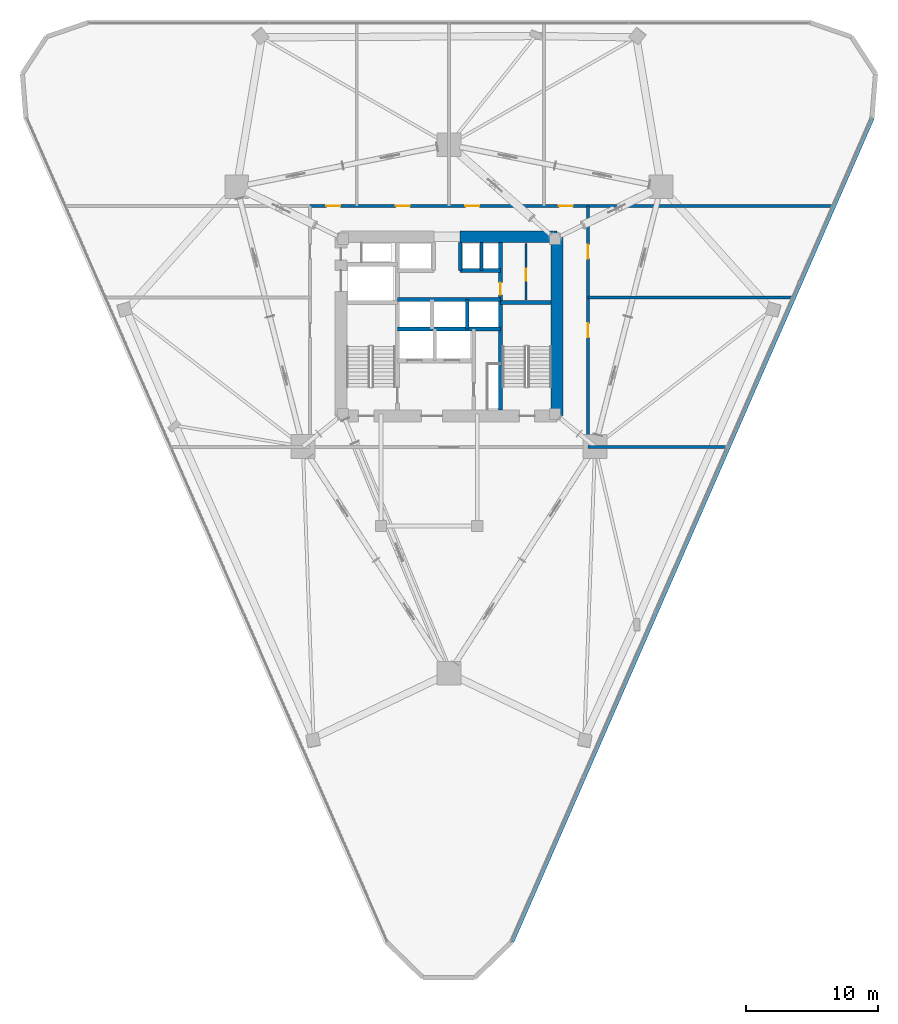
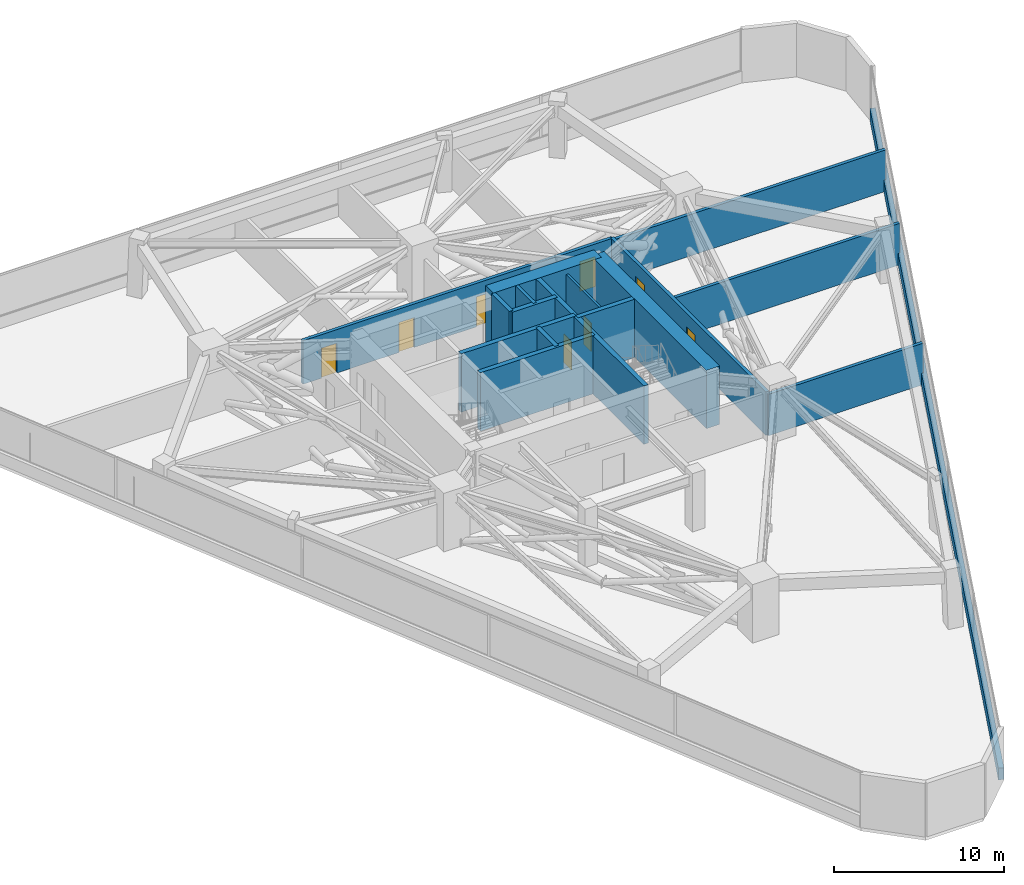
# One storey, part 18 of 20: 17 walls, 8 doors, 8 openings.
"""IFC4 building model written with IfcOpenShell, lengths in metres."""

from ifc_helpers import new_model, si_unit, direction, frame, frame_2d, origin, place, context, subcontext, project, spatial, rectangle, extrude, material, layer, layer_set, type_object, element, fill, save


model = new_model("IFC4")

# Units and contexts
model_context = context("Model", 3, precision=1e-05, world=origin(), true_north=direction((0.0, 1.0)))
body_context = subcontext(model_context, "Body", "Model", "MODEL_VIEW")
ifc_project = project(units=[si_unit("LENGTHUNIT", "METRE"), si_unit("AREAUNIT", "SQUARE_METRE"), si_unit("VOLUMEUNIT", "CUBIC_METRE"), si_unit("PLANEANGLEUNIT", "RADIAN"), si_unit("MASSUNIT", "GRAM", prefix="KILO")], contexts=[model_context])

# Site, building, storey
site_placement = place(None, origin())
site = spatial("IfcSite", under=ifc_project, at=site_placement, CompositionType="ELEMENT")
building_placement = place(site_placement, origin())
building = spatial("IfcBuilding", under=site, at=building_placement, Name="Talyreon Biosciences Tower", CompositionType="ELEMENT")
storey_placement = place(building_placement, frame((0.0, 0.0, 66.60009765625)))
storey = spatial("IfcBuildingStorey", under=building, at=storey_placement, Name="L17", CompositionType="ELEMENT", Elevation=66.60009765625)

# Walls
ifc_material_1 = material(Name="Concrete C50/60", Category="concrete")
ifc_layer_1 = layer(ifc_material_1, 0.219970703125)
ifc_layer_set_1 = layer_set([ifc_layer_1], Name="Concrete C50/60")
wall_type_1 = type_object("IfcWallType", Name="CoreShearWall_220", PredefinedType="SHEAR", material=ifc_layer_set_1)
wall_1_placement = place(storey_placement, frame((68.4599609375, 72.25, 0.0), z_axis=(0.0, 0.0, 1.0), x_axis=(0.0, 1.0, 0.0)))
element("IfcWall", 1, at=wall_1_placement, inside=storey, type_object=wall_type_1, Name="L17 Core Shaft Wall SWPHD", PredefinedType="SHEAR", context=body_context, shape_type="SweptSolid", body=[
    extrude(rectangle(XDim=2.10009765625, YDim=0.219970703125, at=frame_2d((1.050048828125, 0.0))), origin(), (0.0, 0.0, 1.0), 4.199951171875),
])
ifc_layer_2 = layer(ifc_material_1, 0.280029296875)
ifc_layer_set_2 = layer_set([ifc_layer_2], Name="Concrete C50/60")
wall_type_2 = type_object("IfcWallType", Name="CoreShearWall_280", PredefinedType="SHEAR", material=ifc_layer_set_2)
wall_2_placement = place(storey_placement, frame((66.85009765625, 72.25, 0.0), z_axis=(0.0, 0.0, 1.0), x_axis=(0.0, 1.0, 0.0)))
element("IfcWall", 2, at=wall_2_placement, inside=storey, type_object=wall_type_2, Name="L17 Core Shaft Wall SWTHE", PredefinedType="SHEAR", context=body_context, shape_type="SweptSolid", body=[
    extrude(rectangle(XDim=2.10009765625, YDim=0.280029296875, at=frame_2d((1.050048828125, 0.0))), origin(), (0.0, 0.0, 1.0), 4.199951171875),
])
wall_3_placement = place(storey_placement, frame((67.3798828125, 67.800048828125, 0.0), z_axis=(0.0, 0.0, 1.0), x_axis=(0.0, 1.0, 0.0)))
element("IfcWall", 3, at=wall_3_placement, inside=storey, type_object=wall_type_2, Name="L17 Core Shaft Wall SWPMD", PredefinedType="SHEAR", context=body_context, shape_type="SweptSolid", body=[
    extrude(rectangle(XDim=2.25, YDim=0.280029296875, at=frame_2d((1.125, 0.0))), origin(), (0.0, 0.0, 1.0), 4.199951171875),
])

# Wall, opening, door
ifc_layer_3 = layer(ifc_material_1, 0.320068359375)
ifc_layer_set_3 = layer_set([ifc_layer_3], Name="Concrete C50/60")
wall_type_3 = type_object("IfcWallType", Name="CoreShearWall_320", PredefinedType="SHEAR", material=ifc_layer_set_3)
wall_4_placement = place(storey_placement, frame((69.909912109375, 61.64990234375, 0.0), z_axis=(0.0, 0.0, 1.0), x_axis=(0.0, 1.0, 0.0)))
wall_4 = element("IfcWall", 4, at=wall_4_placement, inside=storey, type_object=wall_type_3, Name="L17 Core Shaft Wall SW2W", PredefinedType="SHEAR", context=body_context, shape_type="SweptSolid", body=[
    extrude(rectangle(XDim=12.7001953125, YDim=0.320068359375, at=frame_2d((6.35009765625, 0.0))), origin(), (0.0, 0.0, 1.0), 4.199951171875),
])
opening_1_placement = place(wall_4_placement, frame((8.75, 0.0, 0.0)))
opening_1 = element("IfcOpeningElement", 5, at=opening_1_placement, cuts=wall_4, Name="Opening DR-L17-CSRV", PredefinedType="OPENING", context=body_context, shape_type="SweptSolid", body=[
    extrude(rectangle(XDim=0.919921875, YDim=2.050048828125, at=frame_2d((0.4599609375, 1.02490234375))), frame((0.0, 0.169921875, 0.0), z_axis=(0.0, -1.0, 0.0), x_axis=(1.0, 0.0, 0.0)), (0.0, 0.0, 1.0), 0.340087890625),
])
ifc_material_2 = material(Name="Painted steel fire-rated riser door", Category="steel")
door_type_1 = type_object("IfcDoorType", Name="RiserPlantAccessDoor_920x2050", OperationType="NOTDEFINED", PredefinedType="DOOR", material=ifc_material_2)
door_1_placement = place(opening_1_placement, origin())
door_1 = element("IfcDoor", 6, at=door_1_placement, inside=storey, type_object=door_type_1, Name="L17 Core Door DR-L17-CSRV", OperationType="SINGLE_SWING_RIGHT", OverallHeight=2.050048828125, OverallWidth=0.919921875, PredefinedType="DOOR", context=body_context, shape_type="SweptSolid", body=[
    extrude(rectangle(XDim=0.919921875, YDim=2.050048828125, at=frame_2d((0.4599609375, 1.02490234375))), frame((0.0, 0.02490234375, 0.0), z_axis=(0.0, -1.0, 0.0), x_axis=(1.0, 0.0, 0.0)), (0.0, 0.0, 1.0), 0.050048828125),
])
fill(opening_1, door_1)

# Walls
wall_5_placement = place(storey_placement, frame((69.909912109375, 69.81005859375, 0.0), z_axis=(0.0, 0.0, 1.0), x_axis=(1.0, 0.0, 0.0)))
element("IfcWall", 7, at=wall_5_placement, inside=storey, type_object=wall_type_3, Name="L17 Core Shaft Wall SW2N", PredefinedType="SHEAR", context=body_context, shape_type="SweptSolid", body=[
    extrude(rectangle(XDim=3.840087890625, YDim=0.320068359375, at=frame_2d((1.919921875, 0.0))), origin(), (0.0, 0.0, 1.0), 4.199951171875),
])
for number, where, z_axis, x_axis, name in (
    (8, (62.090087890625, 67.800048828125, 0.0), (0.0, 0.0, 1.0), (1.0, 0.0, 0.0), "L17 Core Shaft Wall SWSHM"),
    (9, (62.090087890625, 70.050048828125, 0.0), (0.0, 0.0, 1.0), (1.0, 0.0, 0.0), "L17 Core Shaft Wall SWSPN"),
):
    element("IfcWall", number, at=place(storey_placement, frame(where, z_axis=z_axis, x_axis=x_axis)), inside=storey, type_object=wall_type_3, Name=name, PredefinedType="SHEAR", context=body_context, shape_type="SweptSolid", body=[
        extrude(rectangle(XDim=7.81982421875, YDim=0.320068359375, at=frame_2d((3.909912109375, 0.0))), origin(), (0.0, 0.0, 1.0), 4.199951171875),
    ])
wall_6_placement = place(storey_placement, frame((66.85009765625, 72.25, 0.0), z_axis=(0.0, 0.0, 1.0), x_axis=(1.0, 0.0, 0.0)))
element("IfcWall", 10, at=wall_6_placement, inside=storey, type_object=wall_type_3, Name="L17 Core Shaft Wall SWNPE", PredefinedType="SHEAR", context=body_context, shape_type="SweptSolid", body=[
    extrude(rectangle(XDim=3.059814453125, YDim=0.320068359375, at=frame_2d((1.52978515625, 0.0))), origin(), (0.0, 0.0, 1.0), 4.199951171875),
])
ifc_material_3 = material(Name="Concrete C60/75", Category="concrete")
ifc_layer_4 = layer(ifc_material_3, 0.89990234375)
ifc_layer_set_4 = layer_set([ifc_layer_4], Name="Concrete C60/75")
wall_type_4 = type_object("IfcWallType", Name="CoreShearWall_900", PredefinedType="SHEAR", material=ifc_layer_set_4)
wall_7_placement = place(storey_placement, frame((74.199951171875, 61.199951171875, 0.0), z_axis=(0.0, 0.0, 1.0), x_axis=(0.0, 1.0, 0.0)))
element("IfcWall", 11, at=wall_7_placement, inside=storey, type_object=wall_type_4, Name="L17 Core Shear Wall E", PredefinedType="SHEAR", context=body_context, shape_type="SweptSolid", body=[
    extrude(rectangle(XDim=13.60009765625, YDim=0.89990234375, at=frame_2d((6.800048828125, 0.0))), origin(), (0.0, 0.0, 1.0), 4.199951171875),
])
wall_8_placement = place(storey_placement, frame((74.199951171875, 74.800048828125, 0.0), z_axis=(0.0, 0.0, 1.0), x_axis=(-1.0, 0.0, 0.0)))
element("IfcWall", 12, at=wall_8_placement, inside=storey, type_object=wall_type_4, Name="L17 Core Shear Wall NE", PredefinedType="SHEAR", context=body_context, shape_type="SweptSolid", body=[
    extrude(rectangle(XDim=7.349853515625, YDim=0.89990234375, at=frame_2d((3.6748046875, 0.0))), origin(), (0.0, 0.0, 1.0), 4.199951171875),
])
ifc_material_4 = material(Name="Gypsum fireboard acoustic stud", Category="gypsum")
ifc_layer_5 = layer(ifc_material_4, 0.219970703125)
ifc_layer_set_5 = layer_set([ifc_layer_5], Name="Gypsum fireboard acoustic stud")
wall_type_5 = type_object("IfcWallType", Name="CorridorRatedPartition_220", PredefinedType="PARTITIONING", material=ifc_layer_set_5)
wall_9_placement = place(storey_placement, frame((76.550048828125, 77.14990234375, 0.0), z_axis=(0.0, 0.0, 1.0), x_axis=(1.0, 0.0, 0.0)))
element("IfcWall", 13, at=wall_9_placement, inside=storey, type_object=wall_type_5, Name="L17 Interior Wall IW-L17-NDIV-NE", PredefinedType="PARTITIONING", context=body_context, shape_type="SweptSolid", body=[
    extrude(rectangle(XDim=18.560546875, YDim=0.219970703125, at=frame_2d((9.2802734375, 0.0))), origin(), (0.0, 0.0, 1.0), 2.97998046875),
])
wall_10_placement = place(storey_placement, frame((76.550048828125, 70.199951171875, 0.0), z_axis=(0.0, 0.0, 1.0), x_axis=(1.0, 0.0, 0.0)))
element("IfcWall", 14, at=wall_10_placement, inside=storey, type_object=wall_type_5, Name="L17 Interior Wall IW-L17-ED1", PredefinedType="PARTITIONING", context=body_context, shape_type="SweptSolid", body=[
    extrude(rectangle(XDim=15.519775390625, YDim=0.219970703125, at=frame_2d((7.759765625, 0.0))), origin(), (0.0, 0.0, 1.0), 2.97998046875),
])
wall_11_placement = place(storey_placement, frame((76.550048828125, 58.85009765625, 0.0), z_axis=(0.0, 0.0, 1.0), x_axis=(1.0, 0.0, 0.0)))
element("IfcWall", 15, at=wall_11_placement, inside=storey, type_object=wall_type_5, Name="L17 Interior Wall IW-L17-PDIV-SE", PredefinedType="PARTITIONING", context=body_context, shape_type="SweptSolid", body=[
    extrude(rectangle(XDim=10.553955078125, YDim=0.219970703125, at=frame_2d((5.27685546875, 0.0))), origin(), (0.0, 0.0, 1.0), 2.97998046875),
])

# Wall, openings, doors
wall_12_placement = place(storey_placement, frame((76.550048828125, 58.85009765625, 0.0), z_axis=(0.0, 0.0, 1.0), x_axis=(0.0, 1.0, 0.0)))
wall_12 = element("IfcWall", 16, at=wall_12_placement, inside=storey, type_object=wall_type_5, Name="L17 Interior Wall IW-L17-PC-E", PredefinedType="PARTITIONING", context=body_context, shape_type="SweptSolid", body=[
    extrude(rectangle(XDim=18.2998046875, YDim=0.219970703125, at=frame_2d((9.14990234375, 0.0))), origin(), (0.0, 0.0, 1.0), 3.1298828125),
])
opening_2_placement = place(wall_12_placement, frame((8.321044921875, 0.0, 0.0)))
opening_2 = element("IfcOpeningElement", 17, at=opening_2_placement, cuts=wall_12, Name="Opening DR-L17-PL-EB", PredefinedType="OPENING", context=body_context, shape_type="SweptSolid", body=[
    extrude(rectangle(XDim=1.050048828125, YDim=2.14990234375, at=frame_2d((0.52490234375, 1.074951171875))), frame((0.0, 0.119873046875, 0.0), z_axis=(0.0, -1.0, 0.0), x_axis=(1.0, 0.0, 0.0)), (0.0, 0.0, 1.0), 0.239990234375),
])
opening_3_placement = place(wall_12_placement, frame((14.300048828125, 0.0, 0.0)))
opening_3 = element("IfcOpeningElement", 18, at=opening_3_placement, cuts=wall_12, Name="Opening DR-L17-PL-EA", PredefinedType="OPENING", context=body_context, shape_type="SweptSolid", body=[
    extrude(rectangle(XDim=1.050048828125, YDim=2.14990234375, at=frame_2d((0.52490234375, 1.074951171875))), frame((0.0, 0.119873046875, 0.0), z_axis=(0.0, -1.0, 0.0), x_axis=(1.0, 0.0, 0.0)), (0.0, 0.0, 1.0), 0.239990234375),
])
ifc_material_5 = material(Name="Acoustic timber-core laboratory door", Category="wood")
door_type_2 = type_object("IfcDoorType", Name="DryLabSingleDoor_1050x2150", OperationType="NOTDEFINED", PredefinedType="DOOR", material=ifc_material_5)
door_2_placement = place(opening_2_placement, origin())
door_2 = element("IfcDoor", 19, at=door_2_placement, inside=storey, type_object=door_type_2, Name="L17 Interior Door DR-L17-PL-EB", OperationType="SINGLE_SWING_LEFT", OverallHeight=2.14990234375, OverallWidth=1.050048828125, PredefinedType="DOOR", context=body_context, shape_type="SweptSolid", body=[
    extrude(rectangle(XDim=1.050048828125, YDim=2.14990234375, at=frame_2d((0.52490234375, 1.074951171875))), frame((0.0, 0.02490234375, 0.0), z_axis=(0.0, -1.0, 0.0), x_axis=(1.0, 0.0, 0.0)), (0.0, 0.0, 1.0), 0.050048828125),
])
fill(opening_2, door_2)
door_3_placement = place(opening_3_placement, origin())
door_3 = element("IfcDoor", 20, at=door_3_placement, inside=storey, type_object=door_type_2, Name="L17 Interior Door DR-L17-PL-EA", OperationType="SINGLE_SWING_LEFT", OverallHeight=2.14990234375, OverallWidth=1.050048828125, PredefinedType="DOOR", context=body_context, shape_type="SweptSolid", body=[
    extrude(rectangle(XDim=1.050048828125, YDim=2.14990234375, at=frame_2d((0.52490234375, 1.074951171875))), frame((0.0, 0.02490234375, 0.0), z_axis=(0.0, -1.0, 0.0), x_axis=(1.0, 0.0, 0.0)), (0.0, 0.0, 1.0), 0.050048828125),
])
fill(opening_3, door_3)

wall_13_placement = place(storey_placement, frame((55.449951171875, 77.14990234375, 0.0), z_axis=(0.0, 0.0, 1.0), x_axis=(1.0, 0.0, 0.0)))
wall_13 = element("IfcWall", 21, at=wall_13_placement, inside=storey, type_object=wall_type_5, Name="L17 Interior Wall IW-L17-PC-N", PredefinedType="PARTITIONING", context=body_context, shape_type="SweptSolid", body=[
    extrude(rectangle(XDim=21.10009765625, YDim=0.219970703125, at=frame_2d((10.550048828125, 0.0))), origin(), (0.0, 0.0, 1.0), 3.1298828125),
])
opening_4_placement = place(wall_13_placement, frame((1.25, 0.0, 0.0)))
opening_4 = element("IfcOpeningElement", 22, at=opening_4_placement, cuts=wall_13, Name="Opening DR-L17-PL-NWA", PredefinedType="OPENING", context=body_context, shape_type="SweptSolid", body=[
    extrude(rectangle(XDim=1.050048828125, YDim=2.14990234375, at=frame_2d((0.52490234375, 1.074951171875))), frame((0.0, 0.119873046875, 0.0), z_axis=(0.0, -1.0, 0.0), x_axis=(1.0, 0.0, 0.0)), (0.0, 0.0, 1.0), 0.239990234375),
])
opening_5_placement = place(wall_13_placement, frame((6.52490234375, 0.0, 0.0)))
opening_5 = element("IfcOpeningElement", 23, at=opening_5_placement, cuts=wall_13, Name="Opening DR-L17-PL-NWB", PredefinedType="OPENING", context=body_context, shape_type="SweptSolid", body=[
    extrude(rectangle(XDim=1.050048828125, YDim=2.14990234375, at=frame_2d((0.52490234375, 1.074951171875))), frame((0.0, 0.119873046875, 0.0), z_axis=(0.0, -1.0, 0.0), x_axis=(1.0, 0.0, 0.0)), (0.0, 0.0, 1.0), 0.239990234375),
])
opening_6_placement = place(wall_13_placement, frame((11.801025390625, 0.0, 0.0)))
opening_6 = element("IfcOpeningElement", 24, at=opening_6_placement, cuts=wall_13, Name="Opening DR-L17-PL-NEA", PredefinedType="OPENING", context=body_context, shape_type="SweptSolid", body=[
    extrude(rectangle(XDim=1.050048828125, YDim=2.14990234375, at=frame_2d((0.52490234375, 1.074951171875))), frame((0.0, 0.119873046875, 0.0), z_axis=(0.0, -1.0, 0.0), x_axis=(1.0, 0.0, 0.0)), (0.0, 0.0, 1.0), 0.239990234375),
])
opening_7_placement = place(wall_13_placement, frame((18.89990234375, 0.0, 0.0)))
opening_7 = element("IfcOpeningElement", 25, at=opening_7_placement, cuts=wall_13, Name="Opening DR-L17-PL-NEB", PredefinedType="OPENING", context=body_context, shape_type="SweptSolid", body=[
    extrude(rectangle(XDim=1.050048828125, YDim=2.14990234375, at=frame_2d((0.52490234375, 1.074951171875))), frame((0.0, 0.119873046875, 0.0), z_axis=(0.0, -1.0, 0.0), x_axis=(1.0, 0.0, 0.0)), (0.0, 0.0, 1.0), 0.239990234375),
])
door_4_placement = place(opening_4_placement, origin())
door_4 = element("IfcDoor", 26, at=door_4_placement, inside=storey, type_object=door_type_2, Name="L17 Interior Door DR-L17-PL-NWA", OperationType="SINGLE_SWING_RIGHT", OverallHeight=2.14990234375, OverallWidth=1.050048828125, PredefinedType="DOOR", context=body_context, shape_type="SweptSolid", body=[
    extrude(rectangle(XDim=1.050048828125, YDim=2.14990234375, at=frame_2d((0.52490234375, 1.074951171875))), frame((0.0, 0.02490234375, 0.0), z_axis=(0.0, -1.0, 0.0), x_axis=(1.0, 0.0, 0.0)), (0.0, 0.0, 1.0), 0.050048828125),
])
fill(opening_4, door_4)
door_5_placement = place(opening_5_placement, origin())
door_5 = element("IfcDoor", 27, at=door_5_placement, inside=storey, type_object=door_type_2, Name="L17 Interior Door DR-L17-PL-NWB", OperationType="SINGLE_SWING_LEFT", OverallHeight=2.14990234375, OverallWidth=1.050048828125, PredefinedType="DOOR", context=body_context, shape_type="SweptSolid", body=[
    extrude(rectangle(XDim=1.050048828125, YDim=2.14990234375, at=frame_2d((0.52490234375, 1.074951171875))), frame((0.0, 0.02490234375, 0.0), z_axis=(0.0, -1.0, 0.0), x_axis=(1.0, 0.0, 0.0)), (0.0, 0.0, 1.0), 0.050048828125),
])
fill(opening_5, door_5)
door_6_placement = place(opening_6_placement, origin())
door_6 = element("IfcDoor", 28, at=door_6_placement, inside=storey, type_object=door_type_2, Name="L17 Interior Door DR-L17-PL-NEA", OperationType="SINGLE_SWING_RIGHT", OverallHeight=2.14990234375, OverallWidth=1.050048828125, PredefinedType="DOOR", context=body_context, shape_type="SweptSolid", body=[
    extrude(rectangle(XDim=1.050048828125, YDim=2.14990234375, at=frame_2d((0.52490234375, 1.074951171875))), frame((0.0, 0.02490234375, 0.0), z_axis=(0.0, -1.0, 0.0), x_axis=(1.0, 0.0, 0.0)), (0.0, 0.0, 1.0), 0.050048828125),
])
fill(opening_6, door_6)
door_7_placement = place(opening_7_placement, origin())
door_7 = element("IfcDoor", 29, at=door_7_placement, inside=storey, type_object=door_type_2, Name="L17 Interior Door DR-L17-PL-NEB", OperationType="SINGLE_SWING_RIGHT", OverallHeight=2.14990234375, OverallWidth=1.050048828125, PredefinedType="DOOR", context=body_context, shape_type="SweptSolid", body=[
    extrude(rectangle(XDim=1.050048828125, YDim=2.14990234375, at=frame_2d((0.52490234375, 1.074951171875))), frame((0.0, 0.02490234375, 0.0), z_axis=(0.0, -1.0, 0.0), x_axis=(1.0, 0.0, 0.0)), (0.0, 0.0, 1.0), 0.050048828125),
])
fill(opening_7, door_7)

# Wall, opening, door
ifc_material_6 = material(Name="Gypsum acoustic stud partition", Category="gypsum")
ifc_layer_6 = layer(ifc_material_6, 0.159912109375)
ifc_layer_set_6 = layer_set([ifc_layer_6], Name="Gypsum acoustic stud partition")
wall_type_6 = type_object("IfcWallType", Name="LabSeparationPartition_160", PredefinedType="PARTITIONING", material=ifc_layer_set_6)
wall_14_placement = place(storey_placement, frame((71.85009765625, 70.0, 0.0), z_axis=(0.0, 0.0, 1.0), x_axis=(0.0, 1.0, 0.0)))
wall_14 = element("IfcWall", 30, at=wall_14_placement, inside=storey, type_object=wall_type_6, Name="L17 Interior Wall IW-L17-CSRV-V", PredefinedType="PARTITIONING", context=body_context, shape_type="SweptSolid", body=[
    extrude(rectangle(XDim=4.300048828125, YDim=0.159912109375, at=frame_2d((2.14990234375, 0.0))), origin(), (0.0, 0.0, 1.0), 3.849853515625),
])
opening_8_placement = place(wall_14_placement, frame((1.449951171875, 0.0, 0.0)))
opening_8 = element("IfcOpeningElement", 31, at=opening_8_placement, cuts=wall_14, Name="Opening DR-L17-CSRV-I", PredefinedType="OPENING", context=body_context, shape_type="SweptSolid", body=[
    extrude(rectangle(XDim=0.919921875, YDim=2.050048828125, at=frame_2d((0.4599609375, 1.02490234375))), frame((0.0, 0.08984375, 0.0), z_axis=(0.0, -1.0, 0.0), x_axis=(1.0, 0.0, 0.0)), (0.0, 0.0, 1.0), 0.179931640625),
])
door_8_placement = place(opening_8_placement, origin())
door_8 = element("IfcDoor", 32, at=door_8_placement, inside=storey, type_object=door_type_1, Name="L17 Interior Door DR-L17-CSRV-I", OperationType="SINGLE_SWING_RIGHT", OverallHeight=2.050048828125, OverallWidth=0.919921875, PredefinedType="DOOR", context=body_context, shape_type="SweptSolid", body=[
    extrude(rectangle(XDim=0.919921875, YDim=2.050048828125, at=frame_2d((0.4599609375, 1.02490234375))), frame((0.0, 0.02490234375, 0.0), z_axis=(0.0, -1.0, 0.0), x_axis=(1.0, 0.0, 0.0)), (0.0, 0.0, 1.0), 0.050048828125),
])
fill(opening_8, door_8)

# Wall
ifc_material_7 = material(Name="Precast concrete C45/55", Category="concrete")
ifc_layer_7 = layer(ifc_material_7, 0.340087890625)
ifc_layer_set_7 = layer_set([ifc_layer_7], Name="Precast concrete C45/55")
wall_type_7 = type_object("IfcWallType", Name="PrecastConcreteSpandrelWall_340", PredefinedType="STANDARD", material=ifc_layer_set_7)
wall_15_placement = place(storey_placement, frame((98.114013671875, 83.802734375, 0.0), z_axis=(0.0, 0.0, 1.0), x_axis=(-0.400832536075, -0.916151340131, 0.0)))
element("IfcWall", 33, at=wall_15_placement, inside=storey, type_object=wall_type_7, Name="L17 Expressed Concrete Sill Wall 08", PredefinedType="STANDARD", context=body_context, shape_type="SweptSolid", body=[
    extrude(rectangle(XDim=68.233154296875, YDim=0.340087890625, at=frame_2d((34.11669921875, 0.0))), origin(), (0.0, 0.0, 1.0), 0.849853515625),
])

save(model, "model.ifc")
